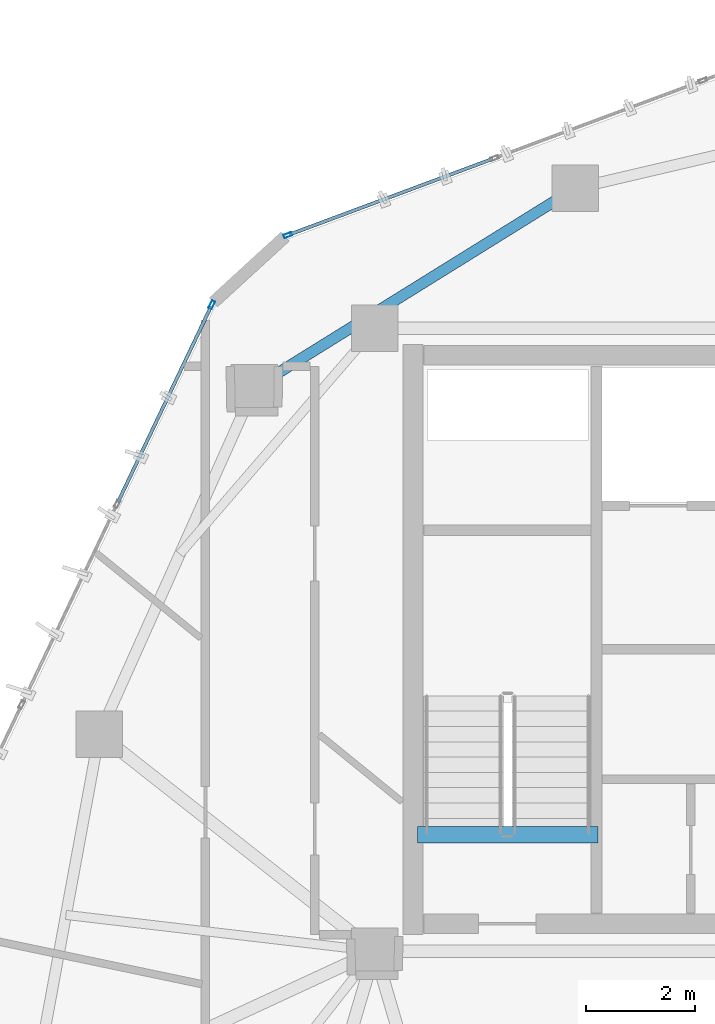
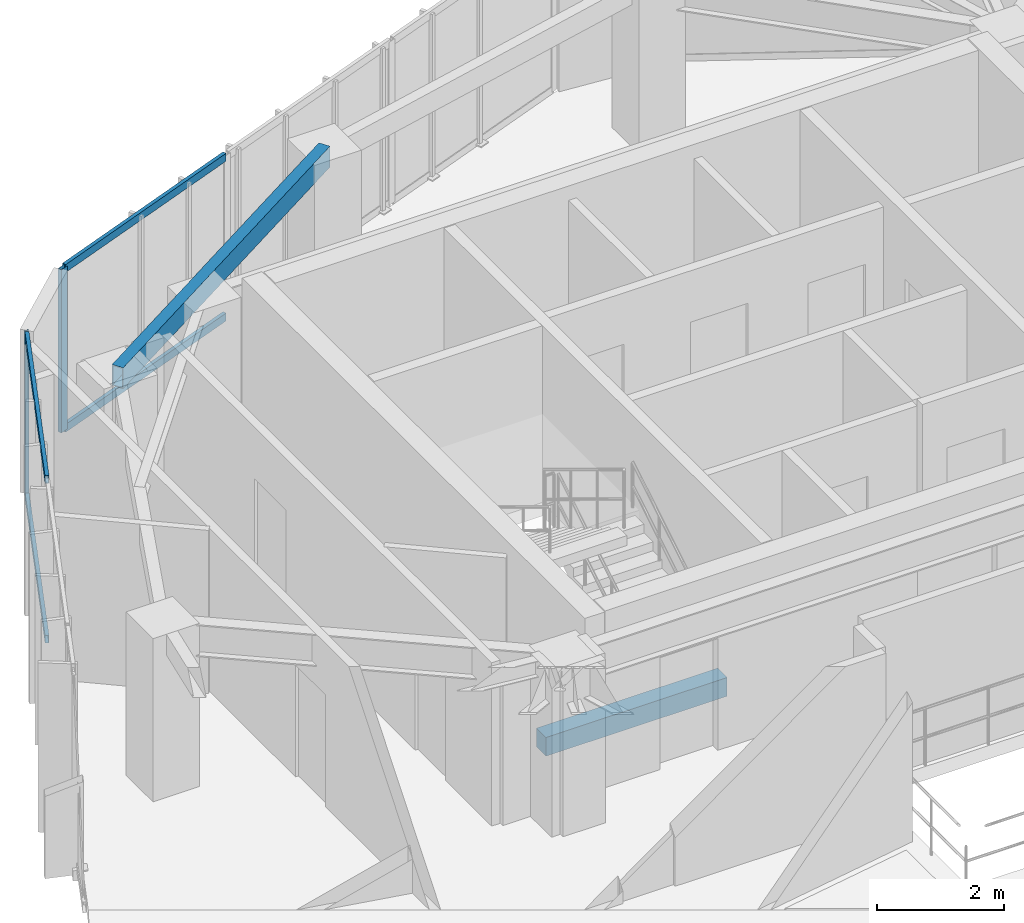
# One storey, part 9 of 20: 6 members, 2 beams, 2 elements without a shape of their own.
"""IFC4 building model written with IfcOpenShell, lengths in metres."""

import ifcopenshell
import ifcopenshell.guid

model = None  # the IFC model being written
_history = None  # IfcOwnerHistory: only IFC2X3 demands one
_inside = {}  # id of a spatial element -> (the spatial element, [elements in it])
_under = {}  # id of a project, library or spatial element -> (it, [spatial elements below it])
_declared = {}  # id of a project -> (the project, [libraries it declares])
_typed = {}  # id of a type object -> (the type object, [elements of that type])
_made_of = {}  # id of a material, layer set ... -> (it, [elements and type objects made of it])


def new_model(schema):
    """Start an empty IFC model of exactly this schema.

    Asked for "IFC4X3", IfcOpenShell would pick the latest addendum, in which some entities
    have other attributes; the version numbers below select the first issue.
    IFC2X3 requires an IfcOwnerHistory on every rooted entity: one is made here for all.
    """
    global model, _history
    if schema == "IFC4X3":
        model = ifcopenshell.file(schema_version=(4, 3, 0, 0))
    else:
        model = ifcopenshell.file(schema=schema)
    _inside.clear()
    _under.clear()
    _declared.clear()
    _typed.clear()
    _made_of.clear()
    _history = None
    if model.schema == "IFC2X3":
        org = make("IfcOrganization", Name="unknown")
        user = make(
            "IfcPersonAndOrganization",
            ThePerson=make("IfcPerson", FamilyName="unknown"),
            TheOrganization=org,
        )
        app = make(
            "IfcApplication",
            ApplicationDeveloper=org,
            Version="unknown",
            ApplicationFullName="unknown",
            ApplicationIdentifier="unknown",
        )
        _history = make(
            "IfcOwnerHistory",
            OwningUser=user,
            OwningApplication=app,
            ChangeAction="ADDED",
            CreationDate=0,
        )
    return model


def make(cls, **values):
    """One entity of the class cls with the attributes given. An attribute that is None is left unset."""
    return model.create_entity(
        cls, **{name: value for name, value in values.items() if value is not None}
    )


def rooted(cls, **values):
    """An entity with a GlobalId (a new one), such as an element, a storey or a relation."""
    return make(cls, GlobalId=ifcopenshell.guid.new(), OwnerHistory=_history, **values)


def si_unit(unit_type, name, prefix=None):
    """IfcSIUnit, for example si_unit("LENGTHUNIT", "METRE", prefix="MILLI")."""
    return make("IfcSIUnit", UnitType=unit_type, Prefix=prefix, Name=name)


def assignment(units):
    """IfcUnitAssignment: the units of a project."""
    return None if units is None else make("IfcUnitAssignment", Units=units)


def point(xyz):
    """IfcCartesianPoint."""
    return None if xyz is None else make("IfcCartesianPoint", Coordinates=xyz)


def direction(xyz):
    """IfcDirection."""
    return None if xyz is None else make("IfcDirection", DirectionRatios=xyz)


def frame(location, z_axis=None, x_axis=None):
    """IfcAxis2Placement3D, a coordinate frame: its origin and axes. An axis left out is left unset."""
    return make(
        "IfcAxis2Placement3D",
        Location=point(location),
        Axis=direction(z_axis),
        RefDirection=direction(x_axis),
    )


def frame_2d(location, x_axis=None):
    """IfcAxis2Placement2D, a coordinate frame in the plane: its origin and x axis."""
    return make(
        "IfcAxis2Placement2D", Location=point(location), RefDirection=direction(x_axis)
    )


def origin():
    """The frame at (0, 0, 0) with its axes left unset."""
    return frame((0.0, 0.0, 0.0))


def origin_2d():
    """The frame at (0, 0) in the plane with its x axis left unset."""
    return frame_2d((0.0, 0.0))


def place(relative_to, where):
    """IfcLocalPlacement: puts the frame where relative to a parent placement (None: the world)."""
    return make(
        "IfcLocalPlacement", PlacementRelTo=relative_to, RelativePlacement=where
    )


def context(
    kind, dimensions, precision=None, world=None, true_north=None, identifier=None
):
    """IfcGeometricRepresentationContext, for example the 3D "Model" context."""
    return make(
        "IfcGeometricRepresentationContext",
        ContextIdentifier=identifier,
        ContextType=kind,
        CoordinateSpaceDimension=dimensions,
        Precision=precision,
        WorldCoordinateSystem=world,
        TrueNorth=true_north,
    )


def subcontext(parent, identifier, kind, view, scale=None):
    """IfcGeometricRepresentationSubContext, for example "Body" below "Model"."""
    return make(
        "IfcGeometricRepresentationSubContext",
        ContextIdentifier=identifier,
        ContextType=kind,
        ParentContext=parent,
        TargetScale=scale,
        TargetView=view,
    )


def project(units=None, contexts=None):
    """IfcProject with its units and contexts."""
    return rooted(
        "IfcProject",
        Name="project",
        RepresentationContexts=contexts,
        UnitsInContext=assignment(units),
    )


def spatial(cls, under=None, at=None, **own):
    """A site, building, storey or space (cls), placed at a placement, below another one or the project."""
    s = rooted(cls, ObjectPlacement=at, **own)
    if under is not None:
        _under.setdefault(under.id(), (under, []))[1].append(s)
    return s


def profile(cls, at=None, kind="AREA", **sizes):
    """A parametric profile (cls). Its sizes go by their IFC names, for example OverallWidth=200.0."""
    return make(cls, ProfileType=kind, Position=at, **sizes)


def rectangle(**sizes):
    """IfcRectangleProfileDef."""
    return profile("IfcRectangleProfileDef", **sizes)


def hollow_rectangle(**sizes):
    """IfcRectangleHollowProfileDef."""
    return profile("IfcRectangleHollowProfileDef", **sizes)


def extrude(swept, where, along, depth):
    """IfcExtrudedAreaSolid: the profile swept, set in the frame where, extruded along a direction by depth."""
    return make(
        "IfcExtrudedAreaSolid",
        SweptArea=swept,
        Position=where,
        ExtrudedDirection=direction(along),
        Depth=depth,
    )


def shape(context_of_items, identifier, shape_type, items):
    """IfcShapeRepresentation: the items that make up one representation, for example the "Body"."""
    return make(
        "IfcShapeRepresentation",
        ContextOfItems=context_of_items,
        RepresentationIdentifier=identifier,
        RepresentationType=shape_type,
        Items=items,
    )


def source(mapping_origin, context_of_items, identifier, shape_type, items):
    """IfcRepresentationMap: a shape defined once, which mapped items show again and again."""
    return make(
        "IfcRepresentationMap",
        MappingOrigin=mapping_origin,
        MappedRepresentation=shape(context_of_items, identifier, shape_type, items),
    )


def transform(
    local_origin,
    x_axis=None,
    y_axis=None,
    z_axis=None,
    scale=None,
    scale2=None,
    scale3=None,
    uniform=True,
):
    """IfcCartesianTransformationOperator3D, or its non-uniform kind. x_axis, y_axis, z_axis: its Axis1, 2, 3."""
    if uniform:
        return make(
            "IfcCartesianTransformationOperator3D",
            Axis1=direction(x_axis),
            Axis2=direction(y_axis),
            LocalOrigin=point(local_origin),
            Scale=scale,
            Axis3=direction(z_axis),
        )
    return make(
        "IfcCartesianTransformationOperator3DnonUniform",
        Axis1=direction(x_axis),
        Axis2=direction(y_axis),
        LocalOrigin=point(local_origin),
        Scale=scale,
        Axis3=direction(z_axis),
        Scale2=scale2,
        Scale3=scale3,
    )


def mapped(mapping_source, mapping_target):
    """IfcMappedItem: shows the shape of a source again, moved by a transform."""
    return make(
        "IfcMappedItem", MappingSource=mapping_source, MappingTarget=mapping_target
    )


def material(Name=None, Category=None):
    """IfcMaterial."""
    return make("IfcMaterial", Name=Name, Category=Category)


def layer(
    of_material, thickness, ventilated=None, Name=None, Category=None, Priority=None
):
    """IfcMaterialLayer: one layer of a wall or slab, of a material (None: an air gap)."""
    return make(
        "IfcMaterialLayer",
        Material=of_material,
        LayerThickness=thickness,
        IsVentilated=ventilated,
        Name=Name,
        Category=Category,
        Priority=Priority,
    )


def layer_set(layers, Name=None):
    """IfcMaterialLayerSet."""
    return make("IfcMaterialLayerSet", MaterialLayers=layers, LayerSetName=Name)


def material_profile(
    of_material, cross_section, Name=None, Category=None, Priority=None
):
    """IfcMaterialProfile: a cross section and its material."""
    return make(
        "IfcMaterialProfile",
        Name=Name,
        Material=of_material,
        Profile=cross_section,
        Priority=Priority,
        Category=Category,
    )


def profile_set(profiles, Name=None, composite=None):
    """IfcMaterialProfileSet."""
    return make(
        "IfcMaterialProfileSet",
        Name=Name,
        MaterialProfiles=profiles,
        CompositeProfile=composite,
    )


def made_of(thing, what):
    """Note that an element or type object is made of a material, layer set ...; save() writes the relation."""
    if what is not None:
        _made_of.setdefault(what.id(), (what, []))[1].append(thing)
    return thing


def type_object(cls, material=None, **own):
    """A type object (cls), such as IfcWallType, which elements share."""
    return made_of(rooted(cls, **own), material)


def type_shapes(of_type, sources):
    """Give a type object the sources (RepresentationMaps) that its elements show as mapped items."""
    of_type.RepresentationMaps = sources


def element(
    cls,
    number,
    at=None,
    inside=None,
    cuts=None,
    type_object=None,
    material=None,
    context=None,
    identifier="Body",
    shape_type=None,
    held_by="IfcProductDefinitionShape",
    body=None,
    shapes=None,
    **own,
):
    """One element of the class cls, such as IfcWall. Its Tag is "e" and its number.

    at: its placement. inside: the storey or other place that contains it. cuts: it is an
    opening in that element (IfcRelVoidsElement). A single representation is given by context,
    identifier, shape_type and body (its items); several are given by shapes. held_by: the class
    of the entity that holds the representations. save() writes the other relations.
    """
    e = rooted(cls, Tag="e%d" % number, ObjectPlacement=at, **own)
    if body is not None:
        shapes = [shape(context, identifier, shape_type, body)]
    if shapes is not None:
        e.Representation = make(held_by, Representations=shapes)
    if inside is not None:
        _inside.setdefault(inside.id(), (inside, []))[1].append(e)
    if cuts is not None:
        rooted(
            "IfcRelVoidsElement", RelatingBuildingElement=cuts, RelatedOpeningElement=e
        )
    if type_object is not None:
        _typed.setdefault(type_object.id(), (type_object, []))[1].append(e)
    return made_of(e, material)


def aggregate(whole, parts):
    """IfcRelAggregates: a whole, such as a stair, and the parts it consists of."""
    return rooted("IfcRelAggregates", RelatingObject=whole, RelatedObjects=parts)


def save(model, path):
    """Write the relations noted so far, then the file.

    IfcRelAggregates (storeys below a building ...), IfcRelContainedInSpatialStructure (elements
    in a storey), IfcRelDefinesByType, IfcRelAssociatesMaterial and IfcRelDeclares: one each for
    every whole, place, type object, material and project.
    """
    for whole, parts in _under.values():
        aggregate(whole, parts)
    for where, things in _inside.values():
        rooted(
            "IfcRelContainedInSpatialStructure",
            RelatedElements=things,
            RelatingStructure=where,
        )
    for kind, things in _typed.values():
        rooted("IfcRelDefinesByType", RelatedObjects=things, RelatingType=kind)
    for what, things in _made_of.values():
        rooted("IfcRelAssociatesMaterial", RelatedObjects=things, RelatingMaterial=what)
    for by, libraries in _declared.values():
        rooted("IfcRelDeclares", RelatingContext=by, RelatedDefinitions=libraries)
    model.write(path)


model = new_model("IFC4")

# Units and contexts
model_context = context("Model", 3, precision=1e-05, world=origin(), true_north=direction((0.0, 1.0)))
body_context = subcontext(model_context, "Body", "Model", "MODEL_VIEW")
ifc_project = project(units=[si_unit("LENGTHUNIT", "METRE"), si_unit("AREAUNIT", "SQUARE_METRE"), si_unit("VOLUMEUNIT", "CUBIC_METRE"), si_unit("PLANEANGLEUNIT", "RADIAN"), si_unit("MASSUNIT", "GRAM", prefix="KILO")], contexts=[model_context])

# Site, building, storey
site_placement = place(None, origin())
site = spatial("IfcSite", under=ifc_project, at=site_placement, CompositionType="ELEMENT")
building_placement = place(site_placement, origin())
building = spatial("IfcBuilding", under=site, at=building_placement, Name="Talar Marvaseh", CompositionType="ELEMENT")
storey_placement = place(building_placement, frame((0.0, 0.0, 281.60009765625)))
storey = spatial("IfcBuildingStorey", under=building, at=storey_placement, Name="L75", CompositionType="ELEMENT", Elevation=281.60009765625)

# Beams
ifc_material_1 = material(Name="Concrete C40/50", Category="concrete")
ifc_material_profile_1 = material_profile(ifc_material_1, rectangle(XDim=0.300048828125, YDim=0.360107421875, at=origin_2d()), Name="RC300x360")
ifc_profile_set_1 = profile_set([ifc_material_profile_1], Name="Concrete C40/50")
beam_type_1 = type_object("IfcBeamType", Name="Concrete Stair Landing Trimmer Beam RC300x360", PredefinedType="SPANDREL", material=ifc_profile_set_1)
beam_1_placement = place(storey_placement, frame((22.780029296875, 27.6298828125, -0.18017578125), z_axis=(-1.0, 0.0, 0.0), x_axis=(0.0, -1.0, 0.0)))
element("IfcBeam", 1, at=beam_1_placement, inside=storey, type_object=beam_type_1, Name="L75 ST-1 Stair Nosing Trimmer Beam", PredefinedType="SPANDREL", context=body_context, shape_type="SweptSolid", body=[
    extrude(rectangle(XDim=0.300048828125, YDim=0.360107421875, at=origin_2d()), origin(), (0.0, 0.0, 1.0), 3.300048828125),
])
ifc_material_2 = material(Name="Steel S355", Category="steel")
ifc_material_profile_2 = material_profile(ifc_material_2, hollow_rectangle(XDim=0.199951171875, YDim=0.39990234375, WallThickness=0.013916015625, at=origin_2d()), Name="RHS400x200x14")
ifc_profile_set_2 = profile_set([ifc_material_profile_2], Name="Steel S355")
beam_type_2 = type_object("IfcBeamType", Name="Zone 3 Perimeter Spandrel Beam RHS400x200x14", PredefinedType="SPANDREL", material=ifc_profile_set_2)
beam_2_placement = place(storey_placement, frame((16.493896484375, 35.806884765625, 2.93994140625), z_axis=(0.849439811678, 0.527685518407, 0.0), x_axis=(-0.527685518407, 0.849439811678, 0.0)))
element("IfcBeam", 2, at=beam_2_placement, inside=storey, type_object=beam_type_2, Name="L75 Zone 3 Perimeter Spandrel Beam RHS400x200x14", PredefinedType="SPANDREL", context=body_context, shape_type="SweptSolid", body=[
    extrude(hollow_rectangle(XDim=0.199951171875, YDim=0.39990234375, WallThickness=0.013916015625, at=origin_2d()), origin(), (0.0, 0.0, 1.0), 6.91162109375),
])

# Curtain wall, member
ifc_material_3 = material(Name="Architectural Aluminium", Category="aluminium")
ifc_layer = layer(ifc_material_3, 0.179931640625)
ifc_layer_set = layer_set([ifc_layer], Name="Architectural Aluminium")
curtain_wall_type = type_object("IfcCurtainWallType", Name="Unitised High-Wind Sky Curtain Wall Z4", PredefinedType="NOTDEFINED", material=ifc_layer_set)
curtain_wall_1_placement = place(storey_placement, origin())
curtain_wall_1 = element("IfcCurtainWall", 3, at=curtain_wall_1_placement, inside=storey, type_object=curtain_wall_type, Name="L75 Unitised High-Wind Sky Curtain Wall Z4", PredefinedType="NOTDEFINED")
ifc_material_profile_3 = material_profile(ifc_material_3, hollow_rectangle(XDim=0.06494140625, YDim=0.14990234375, WallThickness=0.00390625, at=origin_2d()), Name="RHS150x65x4")
ifc_profile_set_3 = profile_set([ifc_material_profile_3], Name="Architectural Aluminium")
member_type_1 = type_object("IfcMemberType", Name="Unitised Curtain Wall Slim Mullion RHS150x65x4", PredefinedType="MULLION", material=ifc_profile_set_3)
shared_shape_1 = source(origin(), body_context, "Body", "SweptSolid", [
    extrude(hollow_rectangle(XDim=0.06494140625, YDim=0.14990234375, WallThickness=0.00390625, at=origin_2d()), origin(), (0.0, 0.0, 1.0), 3.139892578125),
])
type_shapes(member_type_1, [shared_shape_1])
member_1_placement = place(storey_placement, frame((15.718017578125, 37.324951171875, 0.0), z_axis=(0.0, 0.0, 1.0), x_axis=(-0.903095565784, 0.42943963378, 0.0)))
member_1 = element("IfcMember", 4, at=member_1_placement, type_object=member_type_1, Name="CW-Z4 mullion 4", PredefinedType="MULLION", context=body_context, shape_type="MappedRepresentation", body=[
    mapped(shared_shape_1, transform((0.0, 0.0, 0.0), x_axis=(1.0, 0.0, 0.0), y_axis=(0.0, 1.0, 0.0), z_axis=(0.0, 0.0, 1.0), scale=1.0)),
])

# Curtain wall, members
curtain_wall_2_placement = place(storey_placement, origin())
curtain_wall_2 = element("IfcCurtainWall", 5, at=curtain_wall_2_placement, inside=storey, type_object=curtain_wall_type, Name="L75 Unitised High-Wind Sky Curtain Wall Z4", PredefinedType="NOTDEFINED")
member_2_placement = place(storey_placement, frame((17.108642578125, 38.59912109375, 0.0), z_axis=(0.0, 0.0, 1.0), x_axis=(-0.34909350612, 0.937087895549, 0.0)))
member_2 = element("IfcMember", 6, at=member_2_placement, type_object=member_type_1, Name="CW-Z4 mullion 1", PredefinedType="MULLION", context=body_context, shape_type="MappedRepresentation", body=[
    mapped(shared_shape_1, transform((0.0, 0.0, 0.0), x_axis=(1.0, 0.0, 0.0), y_axis=(0.0, 1.0, 0.0), z_axis=(0.0, 0.0, 1.0), scale=1.0)),
])
ifc_material_profile_4 = material_profile(ifc_material_3, hollow_rectangle(XDim=0.06494140625, YDim=0.14990234375, WallThickness=0.00390625, at=origin_2d()), Name="RHS150x65x4")
ifc_profile_set_4 = profile_set([ifc_material_profile_4], Name="Architectural Aluminium")
member_type_2 = type_object("IfcMemberType", Name="Unitised Curtain Wall Slim Transom RHS150x65x4", PredefinedType="USERDEFINED", material=ifc_profile_set_4)
shared_shape_2 = source(origin(), body_context, "Body", "SweptSolid", [
    extrude(hollow_rectangle(XDim=0.06494140625, YDim=0.14990234375, WallThickness=0.00390625, at=origin_2d()), origin(), (0.0, 0.0, 1.0), 3.97119140625),
])
member_3_placement = place(storey_placement, frame((17.138916015625, 38.610595703125, 0.032470703125), z_axis=(0.93709749361, 0.349067740518, 0.0), x_axis=(-0.349067740518, 0.93709749361, 0.0)))
member_3 = element("IfcMember", 7, at=member_3_placement, type_object=member_type_2, Name="CW-Z4 transom 1.1", ObjectType="TRANSOM", PredefinedType="USERDEFINED", context=body_context, shape_type="MappedRepresentation", body=[
    mapped(shared_shape_2, transform((0.0, 0.0, 0.0), x_axis=(1.0, 0.0, 0.0), y_axis=(0.0, 1.0, 0.0), z_axis=(0.0, 0.0, 1.0), scale=1.0)),
])
member_4_placement = place(storey_placement, frame((17.138916015625, 38.610595703125, 3.107421875), z_axis=(0.93709749361, 0.349067740518, 0.0), x_axis=(-0.349067740518, 0.93709749361, 0.0)))
member_4 = element("IfcMember", 8, at=member_4_placement, type_object=member_type_2, Name="CW-Z4 transom 1.2", ObjectType="TRANSOM", PredefinedType="USERDEFINED", context=body_context, shape_type="MappedRepresentation", body=[
    mapped(shared_shape_2, transform((0.0, 0.0, 0.0), x_axis=(1.0, 0.0, 0.0), y_axis=(0.0, 1.0, 0.0), z_axis=(0.0, 0.0, 1.0), scale=1.0)),
])
aggregate(curtain_wall_2, [member_2, member_3, member_4])

# Member
shared_shape_3 = source(origin(), body_context, "Body", "SweptSolid", [
    extrude(hollow_rectangle(XDim=0.06494140625, YDim=0.14990234375, WallThickness=0.00390625, at=origin_2d()), origin(), (0.0, 0.0, 1.0), 3.970947265625),
])
type_shapes(member_type_2, [shared_shape_2, shared_shape_3])
member_5_placement = place(storey_placement, frame((13.998779296875, 33.70947265625, 0.032470703125), z_axis=(0.429444283639, 0.90309335467, 0.0), x_axis=(-0.90309335467, 0.429444283639, 0.0)))
member_5 = element("IfcMember", 9, at=member_5_placement, type_object=member_type_2, Name="CW-Z4 transom 3.1", ObjectType="TRANSOM", PredefinedType="USERDEFINED", context=body_context, shape_type="MappedRepresentation", body=[
    mapped(shared_shape_3, transform((0.0, 0.0, 0.0), x_axis=(1.0, 0.0, 0.0), y_axis=(0.0, 1.0, 0.0), z_axis=(0.0, 0.0, 1.0), scale=1.0)),
])

member_6_placement = place(storey_placement, frame((13.998779296875, 33.70947265625, 3.107421875), z_axis=(0.429444283639, 0.90309335467, 0.0), x_axis=(-0.90309335467, 0.429444283639, 0.0)))
member_6 = element("IfcMember", 10, at=member_6_placement, type_object=member_type_2, Name="CW-Z4 transom 3.2", ObjectType="TRANSOM", PredefinedType="USERDEFINED", context=body_context, shape_type="MappedRepresentation", body=[
    mapped(shared_shape_3, transform((0.0, 0.0, 0.0), x_axis=(1.0, 0.0, 0.0), y_axis=(0.0, 1.0, 0.0), z_axis=(0.0, 0.0, 1.0), scale=1.0)),
])

aggregate(curtain_wall_1, [member_1, member_5, member_6])

save(model, "model.ifc")
